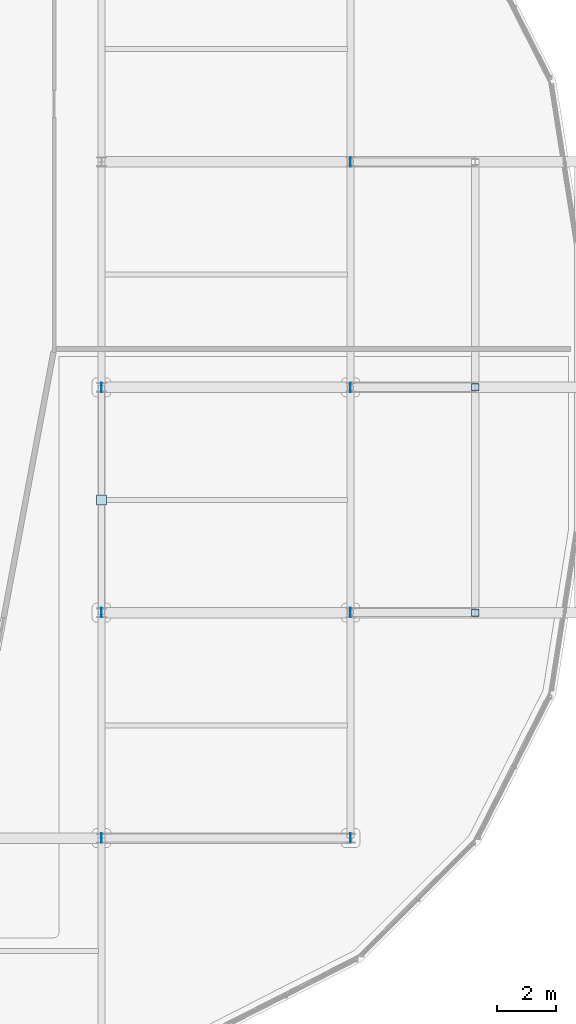
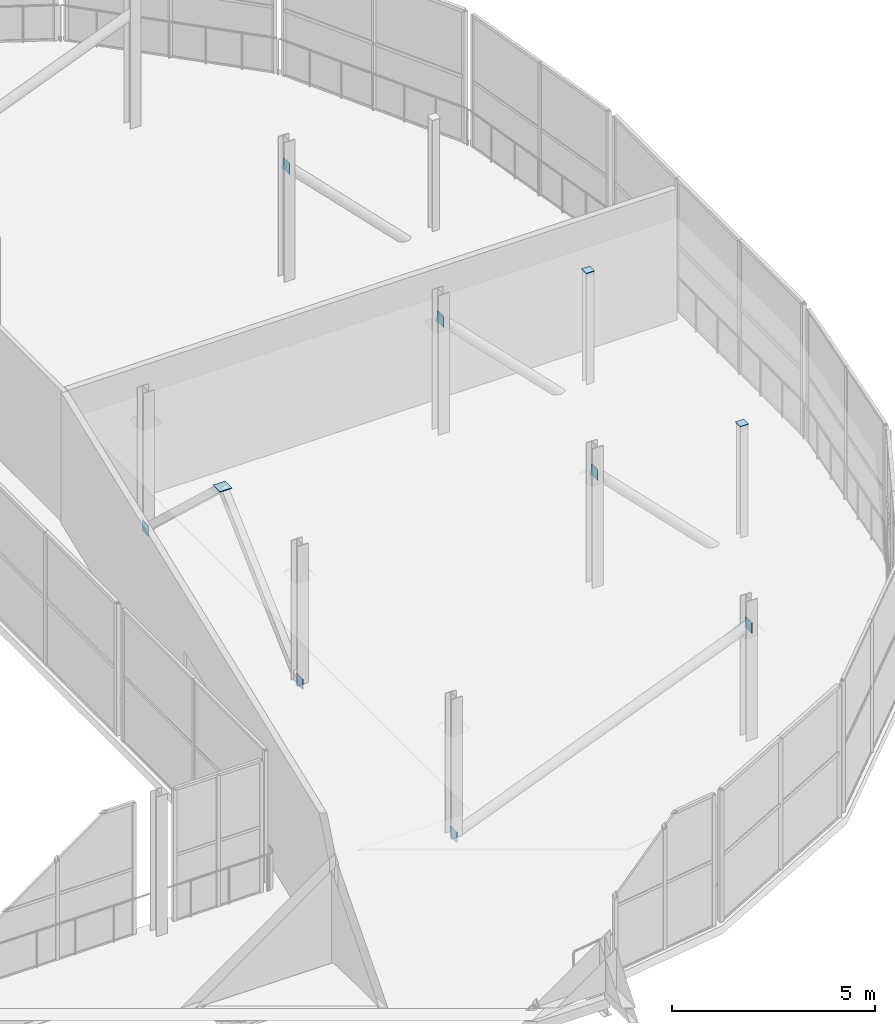
# One storey, part 124 of 151: 10 plates.
"""IFC4 building model written with IfcOpenShell, lengths in metres."""

from ifc_helpers import new_model, si_unit, direction, frame, origin, origin_2d, place, context, subcontext, project, spatial, rectangle, extrude, material, layer, layer_set, type_object, element, save


model = new_model("IFC4")

# Units and contexts
model_context = context("Model", 3, precision=1e-05, world=origin(), true_north=direction((0.0, 1.0)))
body_context = subcontext(model_context, "Body", "Model", "MODEL_VIEW")
ifc_project = project(units=[si_unit("LENGTHUNIT", "METRE"), si_unit("AREAUNIT", "SQUARE_METRE"), si_unit("VOLUMEUNIT", "CUBIC_METRE"), si_unit("PLANEANGLEUNIT", "RADIAN"), si_unit("MASSUNIT", "GRAM", prefix="KILO")], contexts=[model_context])

# Site, building, storey
site_placement = place(None, origin())
site = spatial("IfcSite", under=ifc_project, at=site_placement, CompositionType="ELEMENT")
building_placement = place(site_placement, origin())
building = spatial("IfcBuilding", under=site, at=building_placement, Name="Zuvorla Pavilion Media Centre", CompositionType="ELEMENT")
storey_placement = place(building_placement, frame((0.0, 0.0, 13.800048828125)))
storey = spatial("IfcBuildingStorey", under=building, at=storey_placement, Name="L03", CompositionType="ELEMENT", Elevation=13.800048828125)

# Plates
ifc_material = material(Name="Steel S355", Category="steel")
ifc_layer_1 = layer(ifc_material, 0.01611328125)
ifc_layer_set_1 = layer_set([ifc_layer_1], Name="Steel S355")
plate_type_1 = type_object("IfcPlateType", Name="PLT-CAP-16", PredefinedType="USERDEFINED", material=ifc_layer_set_1)
for number, where, z_axis, x_axis, name in (
    (1, (171.800048828125, 59.199951171875, 3.351806640625), (0.0, 0.0, 1.0), (1.0, 0.0, 0.0), "L03 cap plate CP16 192"),
    (2, (171.800048828125, 66.800048828125, 3.351806640625), (0.0, 0.0, 1.0), (1.0, 0.0, 0.0), "L03 cap plate CP16 196"),
):
    element("IfcPlate", number, at=place(storey_placement, frame(where, z_axis=z_axis, x_axis=x_axis)), inside=storey, type_object=plate_type_1, Name=name, ObjectType="CAP_PLATE", PredefinedType="USERDEFINED", context=body_context, shape_type="SweptSolid", body=[
        extrude(rectangle(XDim=0.239990234375, YDim=0.239990234375, at=origin_2d()), origin(), (0.0, 0.0, 1.0), 0.01611328125),
    ])
ifc_layer_2 = layer(ifc_material, 0.02197265625)
ifc_layer_set_2 = layer_set([ifc_layer_2], Name="Steel S355")
plate_type_2 = type_object("IfcPlateType", Name="PLT-CAP-22", PredefinedType="USERDEFINED", material=ifc_layer_set_2)
plate_placement = place(storey_placement, frame((159.199951171875, 63.0, 3.5390625), z_axis=(0.0, 0.0, 1.0), x_axis=(1.0, 0.0, 0.0)))
element("IfcPlate", 3, at=plate_placement, inside=storey, type_object=plate_type_2, Name="L03 cap plate CP22 170", ObjectType="CAP_PLATE", PredefinedType="USERDEFINED", context=body_context, shape_type="SweptSolid", body=[
    extrude(rectangle(XDim=0.340087890625, YDim=0.340087890625, at=origin_2d()), origin(), (0.0, 0.0, 1.0), 0.02197265625),
])
ifc_layer_3 = layer(ifc_material, 0.02001953125)
ifc_layer_set_3 = layer_set([ifc_layer_3], Name="Steel S355")
plate_type_3 = type_object("IfcPlateType", Name="PLT-GUS-20", PredefinedType="USERDEFINED", material=ifc_layer_set_3)
for number, where, z_axis, x_axis, name in (
    (4, (167.60009765625, 59.199951171875, 3.19970703125), (0.0, 0.0, 1.0), (1.0, 0.0, 0.0), "L03 gusset plate GP20 191"),
    (5, (167.60009765625, 66.800048828125, 3.19970703125), (0.0, 0.0, 1.0), (1.0, 0.0, 0.0), "L03 gusset plate GP20 195"),
    (6, (167.60009765625, 74.39990234375, 3.19970703125), (0.0, 0.0, 1.0), (1.0, 0.0, 0.0), "L03 gusset plate GP20 199"),
    (7, (159.199951171875, 51.60009765625, -0.16015625), (0.0, 0.0, 1.0), (1.0, 0.0, 0.0), "L03 gusset plate GP20 211"),
    (8, (167.60009765625, 51.60009765625, 3.19970703125), (0.0, 0.0, 1.0), (1.0, 0.0, 0.0), "L03 gusset plate GP20 212"),
    (9, (159.199951171875, 59.199951171875, -0.16015625), (0.0, 0.0, 1.0), (1.0, 0.0, 0.0), "L03 gusset plate GP20 527"),
    (10, (159.199951171875, 66.800048828125, -0.16015625), (0.0, 0.0, 1.0), (1.0, 0.0, 0.0), "L03 gusset plate GP20 528"),
):
    element("IfcPlate", number, at=place(storey_placement, frame(where, z_axis=z_axis, x_axis=x_axis)), inside=storey, type_object=plate_type_3, Name=name, ObjectType="GUSSET_PLATE", PredefinedType="USERDEFINED", context=body_context, shape_type="SweptSolid", body=[
        extrude(rectangle(XDim=0.02001953125, YDim=0.320068359375, at=origin_2d()), origin(), (0.0, 0.0, 1.0), 0.320068359375),
    ])

save(model, "model.ifc")
